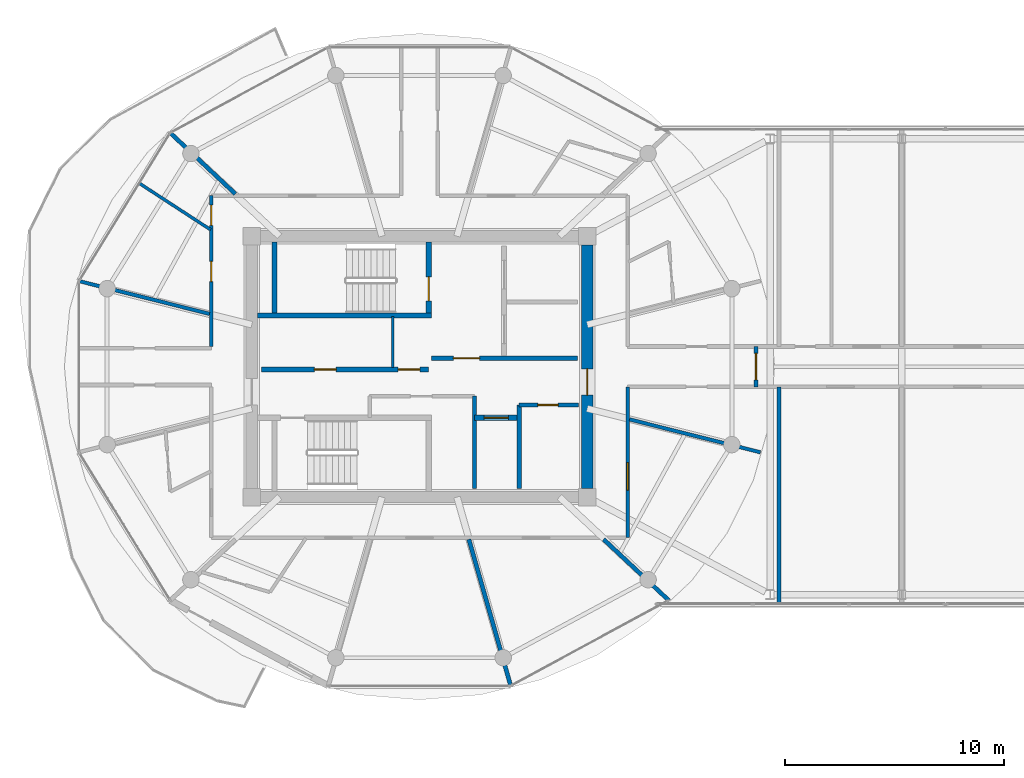
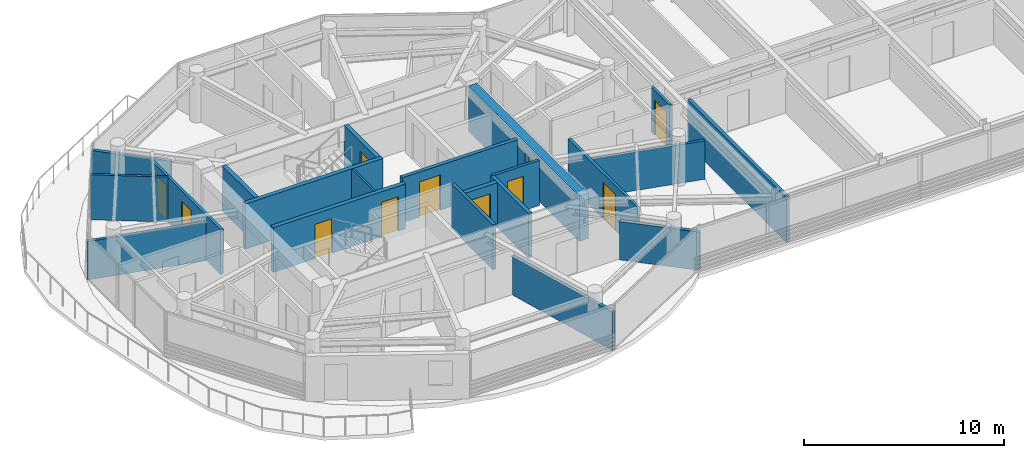
# One storey, part 15 of 24: 21 walls, 11 doors, 11 openings.
"""IFC4 building model written with IfcOpenShell, lengths in metres."""

from ifc_helpers import new_model, si_unit, direction, frame, frame_2d, origin, place, context, subcontext, project, spatial, rectangle, extrude, source, transform, mapped, material, layer, layer_set, type_object, type_shapes, element, fill, save


model = new_model("IFC4")

# Units and contexts
model_context = context("Model", 3, precision=1e-05, world=origin(), true_north=direction((0.0, 1.0)))
body_context = subcontext(model_context, "Body", "Model", "MODEL_VIEW")
ifc_project = project(units=[si_unit("LENGTHUNIT", "METRE"), si_unit("AREAUNIT", "SQUARE_METRE"), si_unit("VOLUMEUNIT", "CUBIC_METRE"), si_unit("PLANEANGLEUNIT", "RADIAN"), si_unit("MASSUNIT", "GRAM", prefix="KILO")], contexts=[model_context])

# Site, building, storey
site_placement = place(None, origin())
site = spatial("IfcSite", under=ifc_project, at=site_placement, CompositionType="ELEMENT")
building_placement = place(site_placement, origin())
building = spatial("IfcBuilding", under=site, at=building_placement, Name="Norrkilde Senior Care Towers", CompositionType="ELEMENT")
storey_placement = place(building_placement, frame((0.0, 0.0, 213.89990234375)))
storey = spatial("IfcBuildingStorey", under=building, at=storey_placement, Name="L66", CompositionType="ELEMENT", Elevation=213.89990234375)

# Wall, opening, door
ifc_material_1 = material(Name="Concrete C50/60", Category="concrete")
ifc_layer_1 = layer(ifc_material_1, 0.52001953125)
ifc_layer_set_1 = layer_set([ifc_layer_1], Name="Concrete C50/60")
wall_type_1 = type_object("IfcWallType", Name="Core Shear Wall Z4 520", PredefinedType="SHEAR", material=ifc_layer_set_1)
shared_shape_1 = source(origin(), body_context, "Body", "SweptSolid", [
    extrude(rectangle(XDim=11.10009765625, YDim=0.52001953125, at=frame_2d((5.550048828125, 0.0))), origin(), (0.0, 0.0, 1.0), 2.760009765625),
])
type_shapes(wall_type_1, [shared_shape_1])
wall_1_placement = place(storey_placement, frame((-20.35009765625, 5.550048828125, 0.0), z_axis=(0.0, 0.0, 1.0), x_axis=(0.0, -1.0, 0.0)))
wall_1 = element("IfcWall", 1, at=wall_1_placement, inside=storey, type_object=wall_type_1, Name="L66 Core W East Shear Wall", PredefinedType="SHEAR", context=body_context, shape_type="MappedRepresentation", body=[
    mapped(shared_shape_1, transform((0.0, 0.0, 0.0), x_axis=(1.0, 0.0, 0.0), y_axis=(0.0, 1.0, 0.0), z_axis=(0.0, 0.0, 1.0), scale=1.0)),
])
opening_1_placement = place(wall_1_placement, frame((5.64990234375, 0.0, 0.0)))
opening_1 = element("IfcOpeningElement", 2, at=opening_1_placement, cuts=wall_1, Name="Opening D-04", PredefinedType="OPENING", context=body_context, shape_type="SweptSolid", body=[
    extrude(rectangle(XDim=1.199951171875, YDim=2.14990234375, at=frame_2d((0.60009765625, 1.074951171875))), frame((0.0, 0.27001953125, 0.0), z_axis=(0.0, -1.0, 0.0), x_axis=(1.0, 0.0, 0.0)), (0.0, 0.0, 1.0), 0.5400390625),
])
ifc_material_2 = material(Name="Galvanised Painted Steel", Category="steel")
door_type_1 = type_object("IfcDoorType", Name="Firefighting Lobby Fire Door 1200x2150", OperationType="NOTDEFINED", PredefinedType="DOOR", material=ifc_material_2)
shared_shape_2 = source(origin(), body_context, "Body", "SweptSolid", [
    extrude(rectangle(XDim=1.199951171875, YDim=2.14990234375, at=frame_2d((0.60009765625, 1.074951171875))), frame((0.0, 0.02490234375, 0.0), z_axis=(0.0, -1.0, 0.0), x_axis=(1.0, 0.0, 0.0)), (0.0, 0.0, 1.0), 0.050048828125),
])
type_shapes(door_type_1, [shared_shape_2])
door_1_placement = place(opening_1_placement, frame((1.199951171875, 0.0, 0.0), z_axis=(0.0, 0.0, 1.0), x_axis=(-1.0, 0.0, 0.0)))
door_1 = element("IfcDoor", 3, at=door_1_placement, inside=storey, type_object=door_type_1, Name="L66 Core W East Portal Door", OperationType="SINGLE_SWING_RIGHT", OverallHeight=2.14990234375, OverallWidth=1.199951171875, PredefinedType="DOOR", context=body_context, shape_type="MappedRepresentation", body=[
    mapped(shared_shape_2, transform((0.0, 0.0, 0.0), x_axis=(1.0, 0.0, 0.0), y_axis=(0.0, 1.0, 0.0), z_axis=(0.0, 0.0, 1.0), scale=1.0)),
])
fill(opening_1, door_1)

# Walls
ifc_material_3 = material(Name="Concrete C45/55", Category="concrete")
ifc_layer_2 = layer(ifc_material_3, 0.239990234375)
ifc_layer_set_2 = layer_set([ifc_layer_2], Name="Concrete C45/55")
wall_type_2 = type_object("IfcWallType", Name="Shaft and Stair Enclosure Wall 240", PredefinedType="PARTITIONING", material=ifc_layer_set_2)
shared_shape_3 = source(origin(), body_context, "Body", "SweptSolid", [
    extrude(rectangle(XDim=7.929931640625, YDim=0.239990234375, at=frame_2d((3.96484375, 0.0))), origin(), (0.0, 0.0, 1.0), 2.760009765625),
])
wall_2_placement = place(storey_placement, frame((-35.389892578125, 2.330078125, 0.0), z_axis=(0.0, 0.0, 1.0), x_axis=(1.0, 0.0, 0.0)))
element("IfcWall", 4, at=wall_2_placement, inside=storey, type_object=wall_type_2, Name="WL-INT-L66-W-ST1S", PredefinedType="PARTITIONING", context=body_context, shape_type="MappedRepresentation", body=[
    mapped(shared_shape_3, transform((0.0, 0.0, 0.0), x_axis=(1.0, 0.0, 0.0), y_axis=(0.0, 1.0, 0.0), z_axis=(0.0, 0.0, 1.0), scale=1.0)),
])
shared_shape_4 = source(origin(), body_context, "Body", "SweptSolid", [
    extrude(rectangle(XDim=3.239990234375, YDim=0.239990234375, at=frame_2d((1.6201171875, 0.0))), origin(), (0.0, 0.0, 1.0), 2.760009765625),
])
type_shapes(wall_type_2, [shared_shape_3, shared_shape_4])
wall_3_placement = place(storey_placement, frame((-34.6201171875, 2.449951171875, 0.0), z_axis=(0.0, 0.0, 1.0), x_axis=(0.0, 1.0, 0.0)))
element("IfcWall", 5, at=wall_3_placement, inside=storey, type_object=wall_type_2, Name="WL-INT-L66-W-ST1W", PredefinedType="PARTITIONING", context=body_context, shape_type="MappedRepresentation", body=[
    mapped(shared_shape_4, transform((0.0, 0.0, 0.0), x_axis=(1.0, 0.0, 0.0), y_axis=(0.0, 1.0, 0.0), z_axis=(0.0, 0.0, 1.0), scale=1.0)),
])

# Wall, opening, door
wall_4_placement = place(storey_placement, frame((-27.580078125, 2.449951171875, 0.0), z_axis=(0.0, 0.0, 1.0), x_axis=(0.0, 1.0, 0.0)))
wall_4 = element("IfcWall", 6, at=wall_4_placement, inside=storey, type_object=wall_type_2, Name="WL-INT-L66-W-ST1E", PredefinedType="PARTITIONING", context=body_context, shape_type="MappedRepresentation", body=[
    mapped(shared_shape_4, transform((0.0, 0.0, 0.0), x_axis=(1.0, 0.0, 0.0), y_axis=(0.0, 1.0, 0.0), z_axis=(0.0, 0.0, 1.0), scale=1.0)),
])
opening_2_placement = place(wall_4_placement, frame((0.550048828125, 0.0, 0.0)))
opening_2 = element("IfcOpeningElement", 7, at=opening_2_placement, cuts=wall_4, Name="Opening D-03", PredefinedType="OPENING", context=body_context, shape_type="SweptSolid", body=[
    extrude(rectangle(XDim=1.10009765625, YDim=2.14990234375, at=frame_2d((0.550048828125, 1.074951171875))), frame((0.0, 0.1298828125, 0.0), z_axis=(0.0, -1.0, 0.0), x_axis=(1.0, 0.0, 0.0)), (0.0, 0.0, 1.0), 0.260009765625),
])
door_type_2 = type_object("IfcDoorType", Name="Stairwell Protected Fire Door 1100x2150", OperationType="NOTDEFINED", PredefinedType="DOOR", material=ifc_material_2)
shared_shape_5 = source(origin(), body_context, "Body", "SweptSolid", [
    extrude(rectangle(XDim=1.10009765625, YDim=2.14990234375, at=frame_2d((0.550048828125, 1.074951171875))), frame((0.0, 0.02490234375, 0.0), z_axis=(0.0, -1.0, 0.0), x_axis=(1.0, 0.0, 0.0)), (0.0, 0.0, 1.0), 0.050048828125),
])
type_shapes(door_type_2, [shared_shape_5])
door_2_placement = place(opening_2_placement, origin())
door_2 = element("IfcDoor", 8, at=door_2_placement, inside=storey, type_object=door_type_2, Name="L66 Stair W1 Fire Door", OperationType="SINGLE_SWING_LEFT", OverallHeight=2.14990234375, OverallWidth=1.10009765625, PredefinedType="DOOR", context=body_context, shape_type="MappedRepresentation", body=[
    mapped(shared_shape_5, transform((0.0, 0.0, 0.0), x_axis=(1.0, 0.0, 0.0), y_axis=(0.0, 1.0, 0.0), z_axis=(0.0, 0.0, 1.0), scale=1.0)),
])
fill(opening_2, door_2)

ifc_layer_3 = layer(ifc_material_3, 0.2099609375)
ifc_layer_set_3 = layer_set([ifc_layer_3], Name="Concrete C45/55")
wall_type_3 = type_object("IfcWallType", Name="Firefighting Lobby Wall 210", PredefinedType="PARTITIONING", material=ifc_layer_set_3)
shared_shape_6 = source(origin(), body_context, "Body", "SweptSolid", [
    extrude(rectangle(XDim=6.659912109375, YDim=0.2099609375, at=frame_2d((3.330078125, 0.0))), origin(), (0.0, 0.0, 1.0), 2.7451171875),
])
type_shapes(wall_type_3, [shared_shape_6])
wall_5_placement = place(storey_placement, frame((-27.4599609375, 0.389892578125, 0.0), z_axis=(0.0, 0.0, 1.0), x_axis=(1.0, 0.0, 0.0)))
wall_5 = element("IfcWall", 9, at=wall_5_placement, inside=storey, type_object=wall_type_3, Name="WL-INT-L66-W-FFLS", PredefinedType="PARTITIONING", context=body_context, shape_type="MappedRepresentation", body=[
    mapped(shared_shape_6, transform((0.0, 0.0, 0.0), x_axis=(1.0, 0.0, 0.0), y_axis=(0.0, 1.0, 0.0), z_axis=(0.0, 0.0, 1.0), scale=1.0)),
])
opening_3_placement = place(wall_5_placement, frame((1.0, 0.0, 0.0)))
opening_3 = element("IfcOpeningElement", 10, at=opening_3_placement, cuts=wall_5, Name="Opening D-04", PredefinedType="OPENING", context=body_context, shape_type="SweptSolid", body=[
    extrude(rectangle(XDim=1.199951171875, YDim=2.14990234375, at=frame_2d((0.60009765625, 1.074951171875))), frame((0.0, 0.114990234375, 0.0), z_axis=(0.0, -1.0, 0.0), x_axis=(1.0, 0.0, 0.0)), (0.0, 0.0, 1.0), 0.22998046875),
])
door_3_placement = place(opening_3_placement, frame((1.199951171875, 0.0, 0.0), z_axis=(0.0, 0.0, 1.0), x_axis=(-1.0, 0.0, 0.0)))
door_3 = element("IfcDoor", 11, at=door_3_placement, inside=storey, type_object=door_type_1, Name="L66 Firefighting Lobby W Door", OperationType="SINGLE_SWING_LEFT", OverallHeight=2.14990234375, OverallWidth=1.199951171875, PredefinedType="DOOR", context=body_context, shape_type="MappedRepresentation", body=[
    mapped(shared_shape_2, transform((0.0, 0.0, 0.0), x_axis=(1.0, 0.0, 0.0), y_axis=(0.0, 1.0, 0.0), z_axis=(0.0, 0.0, 1.0), scale=1.0)),
])
fill(opening_3, door_3)

# Wall, openings, doors
ifc_layer_4 = layer(ifc_material_3, 0.239990234375)
ifc_layer_set_4 = layer_set([ifc_layer_4], Name="Concrete C45/55")
wall_type_4 = type_object("IfcWallType", Name="Lift and Plant Rated Enclosure Partition 240", PredefinedType="PARTITIONING", material=ifc_layer_set_4)
shared_shape_7 = source(origin(), body_context, "Body", "SweptSolid", [
    extrude(rectangle(XDim=7.619873046875, YDim=0.239990234375, at=frame_2d((3.81005859375, 0.0))), origin(), (0.0, 0.0, 1.0), 2.7451171875),
])
wall_6_placement = place(storey_placement, frame((-35.199951171875, -0.1298828125, 0.0), z_axis=(0.0, 0.0, 1.0), x_axis=(1.0, 0.0, 0.0)))
wall_6 = element("IfcWall", 12, at=wall_6_placement, inside=storey, type_object=wall_type_4, Name="WL-INT-L66-W-PKAS", PredefinedType="PARTITIONING", context=body_context, shape_type="MappedRepresentation", body=[
    mapped(shared_shape_7, transform((0.0, 0.0, 0.0), x_axis=(1.0, 0.0, 0.0), y_axis=(0.0, 1.0, 0.0), z_axis=(0.0, 0.0, 1.0), scale=1.0)),
])
opening_4_placement = place(wall_6_placement, frame((6.219970703125, 0.0, 0.0)))
opening_4 = element("IfcOpeningElement", 13, at=opening_4_placement, cuts=wall_6, Name="Opening D-10", PredefinedType="OPENING", context=body_context, shape_type="SweptSolid", body=[
    extrude(rectangle(XDim=1.0, YDim=2.10009765625, at=frame_2d((0.5, 1.050048828125))), frame((0.0, 0.1298828125, 0.0), z_axis=(0.0, -1.0, 0.0), x_axis=(1.0, 0.0, 0.0)), (0.0, 0.0, 1.0), 0.260009765625),
])
opening_5_placement = place(wall_6_placement, frame((2.39990234375, 0.0, 0.0)))
opening_5 = element("IfcOpeningElement", 14, at=opening_5_placement, cuts=wall_6, Name="Opening D-10", PredefinedType="OPENING", context=body_context, shape_type="SweptSolid", body=[
    extrude(rectangle(XDim=1.0, YDim=2.10009765625, at=frame_2d((0.5, 1.050048828125))), frame((0.0, 0.1298828125, 0.0), z_axis=(0.0, -1.0, 0.0), x_axis=(1.0, 0.0, 0.0)), (0.0, 0.0, 1.0), 0.260009765625),
])
door_type_3 = type_object("IfcDoorType", Name="Plant and Riser Rated Door 1000x2100", OperationType="NOTDEFINED", PredefinedType="DOOR", material=ifc_material_2)
shared_shape_8 = source(origin(), body_context, "Body", "SweptSolid", [
    extrude(rectangle(XDim=1.0, YDim=2.10009765625, at=frame_2d((0.5, 1.050048828125))), frame((0.0, 0.02490234375, 0.0), z_axis=(0.0, -1.0, 0.0), x_axis=(1.0, 0.0, 0.0)), (0.0, 0.0, 1.0), 0.050048828125),
])
type_shapes(door_type_3, [shared_shape_8])
door_4_placement = place(opening_4_placement, frame((1.0, 0.0, 0.0), z_axis=(0.0, 0.0, 1.0), x_axis=(-1.0, 0.0, 0.0)))
door_4 = element("IfcDoor", 15, at=door_4_placement, inside=storey, type_object=door_type_3, Name="L66 Electrical Riser W Door", OperationType="SINGLE_SWING_LEFT", OverallHeight=2.10009765625, OverallWidth=1.0, PredefinedType="DOOR", context=body_context, shape_type="MappedRepresentation", body=[
    mapped(shared_shape_8, transform((0.0, 0.0, 0.0), x_axis=(1.0, 0.0, 0.0), y_axis=(0.0, 1.0, 0.0), z_axis=(0.0, 0.0, 1.0), scale=1.0)),
])
fill(opening_4, door_4)
door_5_placement = place(opening_5_placement, frame((1.0, 0.0, 0.0), z_axis=(0.0, 0.0, 1.0), x_axis=(-1.0, 0.0, 0.0)))
door_5 = element("IfcDoor", 16, at=door_5_placement, inside=storey, type_object=door_type_3, Name="L66 Clean Supply Store W Door", OperationType="SINGLE_SWING_LEFT", OverallHeight=2.10009765625, OverallWidth=1.0, PredefinedType="DOOR", context=body_context, shape_type="MappedRepresentation", body=[
    mapped(shared_shape_8, transform((0.0, 0.0, 0.0), x_axis=(1.0, 0.0, 0.0), y_axis=(0.0, 1.0, 0.0), z_axis=(0.0, 0.0, 1.0), scale=1.0)),
])
fill(opening_5, door_5)

# Walls
ifc_material_4 = material(Name="Gypsum Acoustic Board")
ifc_layer_5 = layer(ifc_material_4, 0.114990234375)
ifc_layer_set_5 = layer_set([ifc_layer_5], Name="Gypsum Acoustic Board")
wall_type_5 = type_object("IfcWallType", Name="Internal Room Partition 115", PredefinedType="PARTITIONING", material=ifc_layer_set_5)
shared_shape_9 = source(origin(), body_context, "Body", "SweptSolid", [
    extrude(rectangle(XDim=2.330078125, YDim=0.114990234375, at=frame_2d((1.1650390625, 0.0))), origin(), (0.0, 0.0, 1.0), 2.7451171875),
])
type_shapes(wall_type_5, [shared_shape_9])
wall_7_placement = place(storey_placement, frame((-29.2099609375, -0.050048828125, 0.0), z_axis=(0.0, 0.0, 1.0), x_axis=(0.0, 1.0, 0.0)))
element("IfcWall", 17, at=wall_7_placement, inside=storey, type_object=wall_type_5, Name="WL-INT-L66-W-RISW", PredefinedType="PARTITIONING", context=body_context, shape_type="MappedRepresentation", body=[
    mapped(shared_shape_9, transform((0.0, 0.0, 0.0), x_axis=(1.0, 0.0, 0.0), y_axis=(0.0, 1.0, 0.0), z_axis=(0.0, 0.0, 1.0), scale=1.0)),
])
ifc_layer_6 = layer(ifc_material_3, 0.199951171875)
ifc_layer_set_6 = layer_set([ifc_layer_6], Name="Concrete C45/55")
wall_type_6 = type_object("IfcWallType", Name="Shaft Division and Plant Partition 200", PredefinedType="PARTITIONING", material=ifc_layer_set_6)
shared_shape_10 = source(origin(), body_context, "Body", "SweptSolid", [
    extrude(rectangle(XDim=3.800048828125, YDim=0.199951171875, at=frame_2d((1.89990234375, 0.0))), origin(), (0.0, 0.0, 1.0), 2.7451171875),
])
type_shapes(wall_type_6, [shared_shape_10])
wall_8_placement = place(storey_placement, frame((-23.449951171875, -5.550048828125, 0.0), z_axis=(0.0, 0.0, 1.0), x_axis=(0.0, 1.0, 0.0)))
element("IfcWall", 18, at=wall_8_placement, inside=storey, type_object=wall_type_6, Name="WL-INT-L66-W-PKBE", PredefinedType="PARTITIONING", context=body_context, shape_type="MappedRepresentation", body=[
    mapped(shared_shape_10, transform((0.0, 0.0, 0.0), x_axis=(1.0, 0.0, 0.0), y_axis=(0.0, 1.0, 0.0), z_axis=(0.0, 0.0, 1.0), scale=1.0)),
])

# Wall, opening, door
shared_shape_11 = source(origin(), body_context, "Body", "SweptSolid", [
    extrude(rectangle(XDim=2.050048828125, YDim=0.239990234375, at=frame_2d((1.02490234375, 0.0))), origin(), (0.0, 0.0, 1.0), 2.7451171875),
])
type_shapes(wall_type_4, [shared_shape_7, shared_shape_11])
wall_9_placement = place(storey_placement, frame((-25.5, -2.330078125, 0.0), z_axis=(0.0, 0.0, 1.0), x_axis=(1.0, 0.0, 0.0)))
wall_9 = element("IfcWall", 19, at=wall_9_placement, inside=storey, type_object=wall_type_4, Name="WL-INT-L66-W-PL4N", PredefinedType="PARTITIONING", context=body_context, shape_type="MappedRepresentation", body=[
    mapped(shared_shape_11, transform((0.0, 0.0, 0.0), x_axis=(1.0, 0.0, 0.0), y_axis=(0.0, 1.0, 0.0), z_axis=(0.0, 0.0, 1.0), scale=1.0)),
])
opening_6_placement = place(wall_9_placement, frame((0.449951171875, 0.0, 0.0)))
opening_6 = element("IfcOpeningElement", 20, at=opening_6_placement, cuts=wall_9, Name="Opening LD-01", PredefinedType="OPENING", context=body_context, shape_type="SweptSolid", body=[
    extrude(rectangle(XDim=1.10009765625, YDim=2.199951171875, at=frame_2d((0.550048828125, 1.10009765625))), frame((0.0, 0.1298828125, 0.0), z_axis=(0.0, -1.0, 0.0), x_axis=(1.0, 0.0, 0.0)), (0.0, 0.0, 1.0), 0.260009765625),
])
ifc_material_5 = material(Name="Stainless Steel", Category="steel")
door_type_4 = type_object("IfcDoorType", Name="Lift Landing Sliding Door 1100x2200", OperationType="NOTDEFINED", PredefinedType="DOOR", material=ifc_material_5)
shared_shape_12 = source(origin(), body_context, "Body", "SweptSolid", [
    extrude(rectangle(XDim=1.10009765625, YDim=2.199951171875, at=frame_2d((0.550048828125, 1.10009765625))), frame((0.0, 0.02490234375, 0.0), z_axis=(0.0, -1.0, 0.0), x_axis=(1.0, 0.0, 0.0)), (0.0, 0.0, 1.0), 0.050048828125),
])
type_shapes(door_type_4, [shared_shape_12])
door_6_placement = place(opening_6_placement, frame((1.10009765625, 0.0, 0.0), z_axis=(0.0, 0.0, 1.0), x_axis=(-1.0, 0.0, 0.0)))
door_6 = element("IfcDoor", 21, at=door_6_placement, inside=storey, type_object=door_type_4, Name="L66 Passenger Lift W4 Landing Door", OperationType="SLIDING_TO_RIGHT", OverallHeight=2.199951171875, OverallWidth=1.10009765625, PredefinedType="DOOR", context=body_context, shape_type="MappedRepresentation", body=[
    mapped(shared_shape_12, transform((0.0, 0.0, 0.0), x_axis=(1.0, 0.0, 0.0), y_axis=(0.0, 1.0, 0.0), z_axis=(0.0, 0.0, 1.0), scale=1.0)),
])
fill(opening_6, door_6)

# Wall
ifc_layer_7 = layer(ifc_material_3, 0.179931640625)
ifc_layer_set_7 = layer_set([ifc_layer_7], Name="Concrete C45/55")
wall_type_7 = type_object("IfcWallType", Name="Hoistway Division Rated Partition 180", PredefinedType="PARTITIONING", material=ifc_layer_set_7)
shared_shape_13 = source(origin(), body_context, "Body", "SweptSolid", [
    extrude(rectangle(XDim=4.199951171875, YDim=0.179931640625, at=frame_2d((2.10009765625, 0.0))), origin(), (0.0, 0.0, 1.0), 2.7451171875),
])
type_shapes(wall_type_7, [shared_shape_13])
wall_10_placement = place(storey_placement, frame((-25.5, -5.550048828125, 0.0), z_axis=(0.0, 0.0, 1.0), x_axis=(0.0, 1.0, 0.0)))
element("IfcWall", 22, at=wall_10_placement, inside=storey, type_object=wall_type_7, Name="WL-INT-L66-W-PL4W", PredefinedType="PARTITIONING", context=body_context, shape_type="MappedRepresentation", body=[
    mapped(shared_shape_13, transform((0.0, 0.0, 0.0), x_axis=(1.0, 0.0, 0.0), y_axis=(0.0, 1.0, 0.0), z_axis=(0.0, 0.0, 1.0), scale=1.0)),
])

# Wall, opening, door
ifc_layer_8 = layer(ifc_material_4, 0.1650390625)
ifc_layer_set_8 = layer_set([ifc_layer_8], Name="Gypsum Acoustic Board")
wall_type_8 = type_object("IfcWallType", Name="Corridor Rated Partition 165", PredefinedType="PARTITIONING", material=ifc_layer_set_8)
shared_shape_14 = source(origin(), body_context, "Body", "SweptSolid", [
    extrude(rectangle(XDim=2.699951171875, YDim=0.1650390625, at=frame_2d((1.35009765625, 0.0))), origin(), (0.0, 0.0, 1.0), 2.7451171875),
])
wall_11_placement = place(storey_placement, frame((-23.449951171875, -1.75, 0.0), z_axis=(0.0, 0.0, 1.0), x_axis=(1.0, 0.0, 0.0)))
wall_11 = element("IfcWall", 23, at=wall_11_placement, inside=storey, type_object=wall_type_8, Name="WL-INT-L66-W-CSN", PredefinedType="PARTITIONING", context=body_context, shape_type="MappedRepresentation", body=[
    mapped(shared_shape_14, transform((0.0, 0.0, 0.0), x_axis=(1.0, 0.0, 0.0), y_axis=(0.0, 1.0, 0.0), z_axis=(0.0, 0.0, 1.0), scale=1.0)),
])
opening_7_placement = place(wall_11_placement, frame((0.85009765625, 0.0, 0.0)))
opening_7 = element("IfcOpeningElement", 24, at=opening_7_placement, cuts=wall_11, Name="Opening D-12", PredefinedType="OPENING", context=body_context, shape_type="SweptSolid", body=[
    extrude(rectangle(XDim=0.925048828125, YDim=2.10009765625, at=frame_2d((0.46240234375, 1.050048828125))), frame((0.0, 0.092529296875, 0.0), z_axis=(0.0, -1.0, 0.0), x_axis=(1.0, 0.0, 0.0)), (0.0, 0.0, 1.0), 0.18505859375),
])
door_type_5 = type_object("IfcDoorType", Name="Core Wet Room Rated Door 925x2100", OperationType="NOTDEFINED", PredefinedType="DOOR", material=ifc_material_2)
shared_shape_15 = source(origin(), body_context, "Body", "SweptSolid", [
    extrude(rectangle(XDim=0.925048828125, YDim=2.10009765625, at=frame_2d((0.46240234375, 1.050048828125))), frame((0.0, 0.02490234375, 0.0), z_axis=(0.0, -1.0, 0.0), x_axis=(1.0, 0.0, 0.0)), (0.0, 0.0, 1.0), 0.050048828125),
])
type_shapes(door_type_5, [shared_shape_15])
door_7_placement = place(opening_7_placement, origin())
door_7 = element("IfcDoor", 25, at=door_7_placement, inside=storey, type_object=door_type_5, Name="L66 Core Utility W Door", OperationType="SINGLE_SWING_LEFT", OverallHeight=2.10009765625, OverallWidth=0.925048828125, PredefinedType="DOOR", context=body_context, shape_type="MappedRepresentation", body=[
    mapped(shared_shape_15, transform((0.0, 0.0, 0.0), x_axis=(1.0, 0.0, 0.0), y_axis=(0.0, 1.0, 0.0), z_axis=(0.0, 0.0, 1.0), scale=1.0)),
])
fill(opening_7, door_7)

# Wall, openings, doors
shared_shape_16 = source(origin(), body_context, "Body", "SweptSolid", [
    extrude(rectangle(XDim=6.880126953125, YDim=0.1650390625, at=frame_2d((3.43994140625, 0.0))), origin(), (0.0, 0.0, 1.0), 2.7451171875),
])
wall_12_placement = place(storey_placement, frame((-37.5, 0.919921875, 0.0), z_axis=(0.0, 0.0, 1.0), x_axis=(0.0, 1.0, 0.0)))
wall_12 = element("IfcWall", 26, at=wall_12_placement, inside=storey, type_object=wall_type_8, Name="WL-INT-L66-W-CRW-W-1", PredefinedType="PARTITIONING", context=body_context, shape_type="MappedRepresentation", body=[
    mapped(shared_shape_16, transform((0.0, 0.0, 0.0), x_axis=(1.0, 0.0, 0.0), y_axis=(0.0, 1.0, 0.0), z_axis=(0.0, 0.0, 1.0), scale=1.0)),
])
opening_8_placement = place(wall_12_placement, frame((5.525146484375, 0.0, 0.0)))
opening_8 = element("IfcOpeningElement", 27, at=opening_8_placement, cuts=wall_12, Name="Opening D-08", PredefinedType="OPENING", context=body_context, shape_type="SweptSolid", body=[
    extrude(rectangle(XDim=0.919921875, YDim=2.10009765625, at=frame_2d((0.4599609375, 1.050048828125))), frame((0.0, 0.092529296875, 0.0), z_axis=(0.0, -1.0, 0.0), x_axis=(1.0, 0.0, 0.0)), (0.0, 0.0, 1.0), 0.18505859375),
])
opening_9_placement = place(wall_12_placement, frame((2.96240234375, 0.0, 0.0)))
opening_9 = element("IfcOpeningElement", 28, at=opening_9_placement, cuts=wall_12, Name="Opening D-08", PredefinedType="OPENING", context=body_context, shape_type="SweptSolid", body=[
    extrude(rectangle(XDim=0.919921875, YDim=2.10009765625, at=frame_2d((0.4599609375, 1.050048828125))), frame((0.0, 0.092529296875, 0.0), z_axis=(0.0, -1.0, 0.0), x_axis=(1.0, 0.0, 0.0)), (0.0, 0.0, 1.0), 0.18505859375),
])
ifc_material_6 = material(Name="Nordic Ash Timber", Category="wood")
door_type_6 = type_object("IfcDoorType", Name="Accessible Wet Room Door 920x2100", OperationType="NOTDEFINED", PredefinedType="DOOR", material=ifc_material_6)
shared_shape_17 = source(origin(), body_context, "Body", "SweptSolid", [
    extrude(rectangle(XDim=0.919921875, YDim=2.10009765625, at=frame_2d((0.4599609375, 1.050048828125))), frame((0.0, 0.02490234375, 0.0), z_axis=(0.0, -1.0, 0.0), x_axis=(1.0, 0.0, 0.0)), (0.0, 0.0, 1.0), 0.050048828125),
])
type_shapes(door_type_6, [shared_shape_17])
door_8_placement = place(opening_8_placement, frame((0.919921875, 0.0, 0.0), z_axis=(0.0, 0.0, 1.0), x_axis=(-1.0, 0.0, 0.0)))
door_8 = element("IfcDoor", 29, at=door_8_placement, inside=storey, type_object=door_type_6, Name="L66 Accessible Restroom Door", OperationType="SINGLE_SWING_LEFT", OverallHeight=2.10009765625, OverallWidth=0.919921875, PredefinedType="DOOR", context=body_context, shape_type="MappedRepresentation", body=[
    mapped(shared_shape_17, transform((0.0, 0.0, 0.0), x_axis=(1.0, 0.0, 0.0), y_axis=(0.0, 1.0, 0.0), z_axis=(0.0, 0.0, 1.0), scale=1.0)),
])
fill(opening_8, door_8)
door_9_placement = place(opening_9_placement, frame((0.919921875, 0.0, 0.0), z_axis=(0.0, 0.0, 1.0), x_axis=(-1.0, 0.0, 0.0)))
door_9 = element("IfcDoor", 30, at=door_9_placement, inside=storey, type_object=door_type_6, Name="L66 Public Restroom Door", OperationType="SINGLE_SWING_RIGHT", OverallHeight=2.10009765625, OverallWidth=0.919921875, PredefinedType="DOOR", context=body_context, shape_type="MappedRepresentation", body=[
    mapped(shared_shape_17, transform((0.0, 0.0, 0.0), x_axis=(1.0, 0.0, 0.0), y_axis=(0.0, 1.0, 0.0), z_axis=(0.0, 0.0, 1.0), scale=1.0)),
])
fill(opening_9, door_9)

# Wall, opening, door
wall_13_placement = place(storey_placement, frame((-18.5, -0.919921875, 0.0), z_axis=(0.0, 0.0, 1.0), x_axis=(0.0, -1.0, 0.0)))
wall_13 = element("IfcWall", 31, at=wall_13_placement, inside=storey, type_object=wall_type_8, Name="WL-INT-L66-W-CRW-E-1", PredefinedType="PARTITIONING", context=body_context, shape_type="MappedRepresentation", body=[
    mapped(shared_shape_16, transform((0.0, 0.0, 0.0), x_axis=(1.0, 0.0, 0.0), y_axis=(0.0, 1.0, 0.0), z_axis=(0.0, 0.0, 1.0), scale=1.0)),
])
opening_10_placement = place(wall_13_placement, frame((3.46435546875, 0.0, 0.0)))
opening_10 = element("IfcOpeningElement", 32, at=opening_10_placement, cuts=wall_13, Name="Opening D-05", PredefinedType="OPENING", context=body_context, shape_type="SweptSolid", body=[
    extrude(rectangle(XDim=1.25, YDim=2.199951171875, at=frame_2d((0.625, 1.10009765625))), frame((0.0, 0.092529296875, 0.0), z_axis=(0.0, -1.0, 0.0), x_axis=(1.0, 0.0, 0.0)), (0.0, 0.0, 1.0), 0.18505859375),
])
door_type_7 = type_object("IfcDoorType", Name="Care Bedroom Bariatric Door 1250x2200", OperationType="NOTDEFINED", PredefinedType="DOOR", material=ifc_material_6)
shared_shape_18 = source(origin(), body_context, "Body", "SweptSolid", [
    extrude(rectangle(XDim=1.25, YDim=2.199951171875, at=frame_2d((0.625, 1.10009765625))), frame((0.0, 0.02490234375, 0.0), z_axis=(0.0, -1.0, 0.0), x_axis=(1.0, 0.0, 0.0)), (0.0, 0.0, 1.0), 0.050048828125),
])
type_shapes(door_type_7, [shared_shape_18])
door_10_placement = place(opening_10_placement, frame((1.25, 0.0, 0.0), z_axis=(0.0, 0.0, 1.0), x_axis=(-1.0, 0.0, 0.0)))
door_10 = element("IfcDoor", 33, at=door_10_placement, inside=storey, type_object=door_type_7, Name="L66 Resident Family Conference Room Door", OperationType="SINGLE_SWING_LEFT", OverallHeight=2.199951171875, OverallWidth=1.25, PredefinedType="DOOR", context=body_context, shape_type="MappedRepresentation", body=[
    mapped(shared_shape_18, transform((0.0, 0.0, 0.0), x_axis=(1.0, 0.0, 0.0), y_axis=(0.0, 1.0, 0.0), z_axis=(0.0, 0.0, 1.0), scale=1.0)),
])
fill(opening_10, door_10)

# Walls
ifc_layer_9 = layer(ifc_material_4, 0.139892578125)
ifc_layer_set_9 = layer_set([ifc_layer_9], Name="Gypsum Acoustic Board")
wall_type_9 = type_object("IfcWallType", Name="En-suite Wet Room Wall 140", PredefinedType="PARTITIONING", material=ifc_layer_set_9)
shared_shape_19 = source(origin(), body_context, "Body", "SweptSolid", [
    extrude(rectangle(XDim=3.903564453125, YDim=0.139892578125, at=frame_2d((1.95166015625, 0.0))), origin(), (0.0, 0.0, 1.0), 2.7451171875),
])
type_shapes(wall_type_9, [shared_shape_19])
wall_14_placement = place(storey_placement, frame((-37.530029296875, 6.245849609375, 0.0), z_axis=(0.0, 0.0, 1.0), x_axis=(-0.838024687996, 0.545632314209, 0.0)))
element("IfcWall", 34, at=wall_14_placement, inside=storey, type_object=wall_type_9, Name="WL-INT-L66-W-MID-04", PredefinedType="PARTITIONING", context=body_context, shape_type="MappedRepresentation", body=[
    mapped(shared_shape_19, transform((0.0, 0.0, 0.0), x_axis=(1.0, 0.0, 0.0), y_axis=(0.0, 1.0, 0.0), z_axis=(0.0, 0.0, 1.0), scale=1.0)),
])
shared_shape_20 = source(origin(), body_context, "Body", "SweptSolid", [
    extrude(rectangle(XDim=6.1572265625, YDim=0.1650390625, at=frame_2d((3.07861328125, 0.0))), origin(), (0.0, 0.0, 1.0), 2.34521484375),
])
for number, where, z_axis, x_axis, name in (
    (35, (-37.580078125, 2.407470703125, 0.0), (0.0, 0.0, 1.0), (-0.969840867184, 0.243738984038, 0.0), "WL-INT-L66-W-DEM-05-0"),
    (36, (-18.419921875, -2.407470703125, 0.0), (0.0, 0.0, 1.0), (0.969840867184, -0.243738984038, 0.0), "WL-INT-L66-W-DEM-11-0"),
):
    element("IfcWall", number, at=place(storey_placement, frame(where, z_axis=z_axis, x_axis=x_axis)), inside=storey, type_object=wall_type_8, Name=name, PredefinedType="PARTITIONING", context=body_context, shape_type="MappedRepresentation", body=[
        mapped(shared_shape_20, transform((0.0, 0.0, 0.0), x_axis=(1.0, 0.0, 0.0), y_axis=(0.0, 1.0, 0.0), z_axis=(0.0, 0.0, 1.0), scale=1.0)),
    ])
ifc_layer_10 = layer(ifc_material_4, 0.18994140625)
ifc_layer_set_10 = layer_set([ifc_layer_10], Name="Gypsum Acoustic Board")
wall_type_10 = type_object("IfcWallType", Name="Unit Demising Acoustic Wall 190", PredefinedType="PARTITIONING", material=ifc_layer_set_10)
shared_shape_21 = source(origin(), body_context, "Body", "SweptSolid", [
    extrude(rectangle(XDim=4.089111328125, YDim=0.18994140625, at=frame_2d((2.04443359375, 0.0))), origin(), (0.0, 0.0, 1.0), 2.34521484375),
])
for number, where, z_axis, x_axis, name in (
    (37, (-36.40185546875, 7.8798828125, 0.0), (0.0, 0.0, 1.0), (-0.729401273609, 0.684086092577, 0.0), "WL-INT-L66-W-DEM-04-0"),
    (38, (-19.59814453125, -7.8798828125, 0.0), (0.0, 0.0, 1.0), (0.729401273609, -0.684086092577, 0.0), "WL-INT-L66-W-DEM-10-0"),
):
    element("IfcWall", number, at=place(storey_placement, frame(where, z_axis=z_axis, x_axis=x_axis)), inside=storey, type_object=wall_type_10, Name=name, PredefinedType="PARTITIONING", context=body_context, shape_type="MappedRepresentation", body=[
        mapped(shared_shape_21, transform((0.0, 0.0, 0.0), x_axis=(1.0, 0.0, 0.0), y_axis=(0.0, 1.0, 0.0), z_axis=(0.0, 0.0, 1.0), scale=1.0)),
    ])
shared_shape_22 = source(origin(), body_context, "Body", "SweptSolid", [
    extrude(rectangle(XDim=6.973876953125, YDim=0.18994140625, at=frame_2d((3.48681640625, 0.0))), origin(), (0.0, 0.0, 1.0), 2.34521484375),
])
wall_15_placement = place(storey_placement, frame((-25.748779296875, -7.8798828125, 0.0), z_axis=(0.0, 0.0, 1.0), x_axis=(0.274707256801, -0.961527910703, 0.0)))
element("IfcWall", 39, at=wall_15_placement, inside=storey, type_object=wall_type_10, Name="WL-INT-L66-W-DEM-09-0", PredefinedType="PARTITIONING", context=body_context, shape_type="MappedRepresentation", body=[
    mapped(shared_shape_22, transform((0.0, 0.0, 0.0), x_axis=(1.0, 0.0, 0.0), y_axis=(0.0, 1.0, 0.0), z_axis=(0.0, 0.0, 1.0), scale=1.0)),
])

# Wall, opening, door
shared_shape_23 = source(origin(), body_context, "Body", "SweptSolid", [
    extrude(rectangle(XDim=1.83984375, YDim=0.1650390625, at=frame_2d((0.919921875, 0.0))), origin(), (0.0, 0.0, 1.0), 2.7451171875),
])
type_shapes(wall_type_8, [shared_shape_14, shared_shape_16, shared_shape_20, shared_shape_23])
wall_16_placement = place(storey_placement, frame((-12.64990234375, -0.919921875, 0.0), z_axis=(0.0, 0.0, 1.0), x_axis=(0.0, 1.0, 0.0)))
wall_16 = element("IfcWall", 40, at=wall_16_placement, inside=storey, type_object=wall_type_8, Name="WL-INT-L66-BR-GW", PredefinedType="PARTITIONING", context=body_context, shape_type="MappedRepresentation", body=[
    mapped(shared_shape_23, transform((0.0, 0.0, 0.0), x_axis=(1.0, 0.0, 0.0), y_axis=(0.0, 1.0, 0.0), z_axis=(0.0, 0.0, 1.0), scale=1.0)),
])
opening_11_placement = place(wall_16_placement, frame((0.320068359375, 0.0, 0.0)))
opening_11 = element("IfcOpeningElement", 41, at=opening_11_placement, cuts=wall_16, Name="Opening D-04", PredefinedType="OPENING", context=body_context, shape_type="SweptSolid", body=[
    extrude(rectangle(XDim=1.199951171875, YDim=2.14990234375, at=frame_2d((0.60009765625, 1.074951171875))), frame((0.0, 0.092529296875, 0.0), z_axis=(0.0, -1.0, 0.0), x_axis=(1.0, 0.0, 0.0)), (0.0, 0.0, 1.0), 0.18505859375),
])
door_11_placement = place(opening_11_placement, frame((1.199951171875, 0.0, 0.0), z_axis=(0.0, 0.0, 1.0), x_axis=(-1.0, 0.0, 0.0)))
door_11 = element("IfcDoor", 42, at=door_11_placement, inside=storey, type_object=door_type_1, Name="L66 Sky-Gate Bridge GW Fire Door", OperationType="SINGLE_SWING_LEFT", OverallHeight=2.14990234375, OverallWidth=1.199951171875, PredefinedType="DOOR", context=body_context, shape_type="MappedRepresentation", body=[
    mapped(shared_shape_2, transform((0.0, 0.0, 0.0), x_axis=(1.0, 0.0, 0.0), y_axis=(0.0, 1.0, 0.0), z_axis=(0.0, 0.0, 1.0), scale=1.0)),
])
fill(opening_11, door_11)

# Wall
shared_shape_24 = source(origin(), body_context, "Body", "SweptSolid", [
    extrude(rectangle(XDim=9.880126953125, YDim=0.18994140625, at=frame_2d((4.93994140625, 0.0))), origin(), (0.0, 0.0, 1.0), 2.7451171875),
])
type_shapes(wall_type_10, [shared_shape_21, shared_shape_22, shared_shape_24])
wall_17_placement = place(storey_placement, frame((-11.60009765625, -10.800048828125, 0.0), z_axis=(0.0, 0.0, 1.0), x_axis=(0.0, 1.0, 0.0)))
element("IfcWall", 43, at=wall_17_placement, inside=storey, type_object=wall_type_10, Name="WL-INT-L66-BR-ES-12", PredefinedType="PARTITIONING", context=body_context, shape_type="MappedRepresentation", body=[
    mapped(shared_shape_24, transform((0.0, 0.0, 0.0), x_axis=(1.0, 0.0, 0.0), y_axis=(0.0, 1.0, 0.0), z_axis=(0.0, 0.0, 1.0), scale=1.0)),
])

save(model, "model.ifc")
